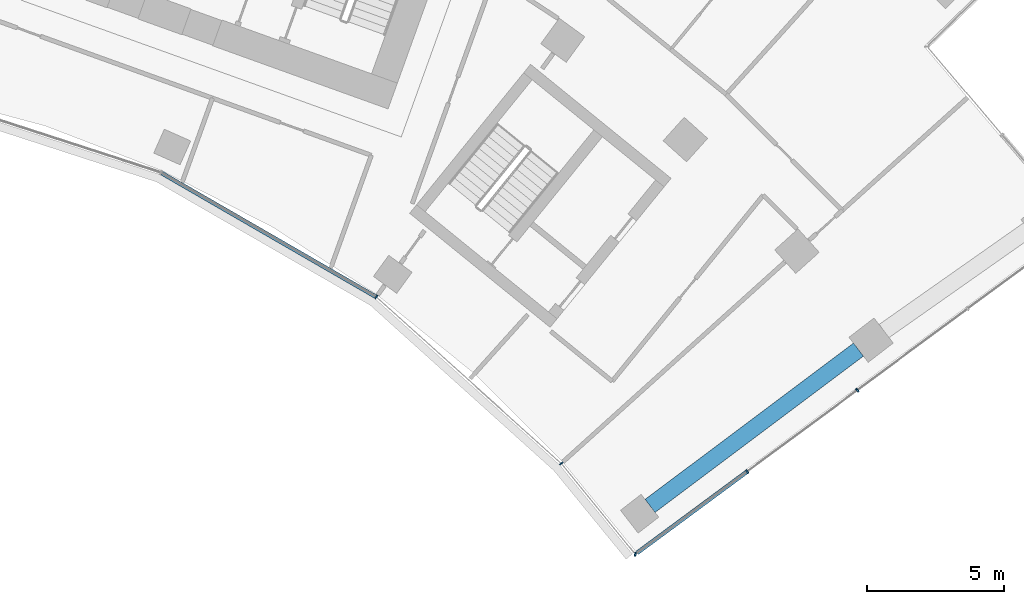
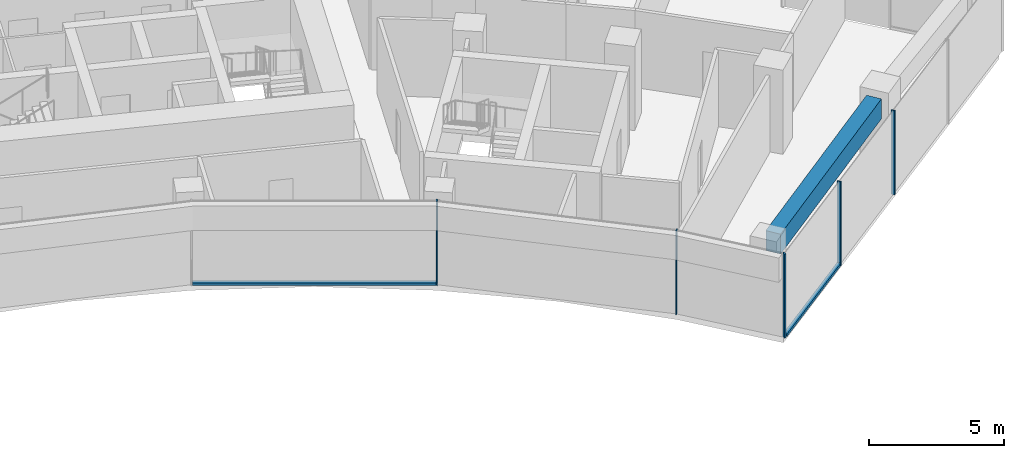
# One storey, part 7 of 19: 7 members, 1 beam, 2 elements without a shape of their own.
"""IFC4 building model written with IfcOpenShell, lengths in metres."""

from ifc_helpers import new_model, si_unit, direction, frame, origin, origin_2d, place, context, subcontext, project, spatial, rectangle, extrude, material, layer, layer_set, material_profile, profile_set, type_object, element, aggregate, save


model = new_model("IFC4")

# Units and contexts
model_context = context("Model", 3, precision=1e-05, world=origin(), true_north=direction((0.0, 1.0)))
body_context = subcontext(model_context, "Body", "Model", "MODEL_VIEW")
ifc_project = project(units=[si_unit("LENGTHUNIT", "METRE"), si_unit("AREAUNIT", "SQUARE_METRE"), si_unit("VOLUMEUNIT", "CUBIC_METRE"), si_unit("PLANEANGLEUNIT", "RADIAN"), si_unit("MASSUNIT", "GRAM", prefix="KILO")], contexts=[model_context])

# Site, building, storey
site_placement = place(None, origin())
site = spatial("IfcSite", under=ifc_project, at=site_placement, CompositionType="ELEMENT")
building_placement = place(site_placement, origin())
building = spatial("IfcBuilding", under=site, at=building_placement, Name="Stone Belt Terrace Tower", CompositionType="ELEMENT")
storey_placement = place(building_placement, frame((0.0, 0.0, 227.60009765625)))
storey = spatial("IfcBuildingStorey", under=building, at=storey_placement, Name="L55", CompositionType="ELEMENT", Elevation=227.60009765625)

# Curtain wall, members
ifc_material_1 = material(Name="Aluminium 6063-T6 anodised frame", Category="aluminium")
ifc_layer_1 = layer(ifc_material_1, 0.14990234375)
ifc_layer_set_1 = layer_set([ifc_layer_1], Name="CW-B unitised concave-face curtain wall")
curtain_wall_type_1 = type_object("IfcCurtainWallType", Name="CW-B unitised concave-face curtain wall", PredefinedType="NOTDEFINED", material=ifc_layer_set_1)
curtain_wall_1_placement = place(storey_placement, origin())
curtain_wall_1 = element("IfcCurtainWall", 1, at=curtain_wall_1_placement, inside=storey, type_object=curtain_wall_type_1, Name="CW-B concave face L55", PredefinedType="NOTDEFINED")
ifc_material_profile_1 = material_profile(ifc_material_1, rectangle(XDim=0.14990234375, YDim=0.050048828125, at=origin_2d()), Name="Aluminium 6063-T6 50x150")
ifc_profile_set_1 = profile_set([ifc_material_profile_1], Name="Aluminium 6063-T6 anodised frame")
member_type_1 = type_object("IfcMemberType", Name="CW-B mullion 50 x 150", PredefinedType="MULLION", material=ifc_profile_set_1)
member_1_placement = place(storey_placement, frame((25.5244140625, 35.13134765625, 0.0), z_axis=(0.0, 0.0, 1.0), x_axis=(0.587785252292, 0.809016994375, 0.0)))
member_1 = element("IfcMember", 2, at=member_1_placement, type_object=member_type_1, Name="CW-B mullion 8", PredefinedType="MULLION", context=body_context, shape_type="SweptSolid", body=[
    extrude(rectangle(XDim=0.14990234375, YDim=0.050048828125, at=origin_2d()), origin(), (0.0, 0.0, 1.0), 3.7998046875),
])
member_2_placement = place(storey_placement, frame((32.2724609375, 29.05517578125, 0.0), z_axis=(0.0, 0.0, 1.0), x_axis=(0.724007879695, 0.689791700544, 0.0)))
member_2 = element("IfcMember", 3, at=member_2_placement, type_object=member_type_1, Name="CW-B mullion 9", PredefinedType="MULLION", context=body_context, shape_type="SweptSolid", body=[
    extrude(rectangle(XDim=0.14990234375, YDim=0.050048828125, at=origin_2d()), origin(), (0.0, 0.0, 1.0), 3.7998046875),
])
ifc_material_profile_2 = material_profile(ifc_material_1, rectangle(XDim=0.14990234375, YDim=0.1201171875, at=origin_2d()), Name="Aluminium 6063-T6 150x120")
ifc_profile_set_2 = profile_set([ifc_material_profile_2], Name="Aluminium 6063-T6 anodised frame")
member_type_2 = type_object("IfcMemberType", Name="CW-B transom 120 x 150", PredefinedType="USERDEFINED", material=ifc_profile_set_2)
member_3_placement = place(storey_placement, frame((17.690673828125, 39.654052734375, 0.059814453125), z_axis=(0.866019133895, -0.500010859609, 0.0), x_axis=(0.500010859609, 0.866019133895, 0.0)))
member_3 = element("IfcMember", 4, at=member_3_placement, type_object=member_type_2, Name="CW-B transom 7.1", ObjectType="TRANSOM", PredefinedType="USERDEFINED", context=body_context, shape_type="SweptSolid", body=[
    extrude(rectangle(XDim=0.14990234375, YDim=0.1201171875, at=origin_2d()), origin(), (0.0, 0.0, 1.0), 9.012939453125),
])
aggregate(curtain_wall_1, [member_1, member_2, member_3])

ifc_layer_2 = layer(ifc_material_1, 0.14990234375)
ifc_layer_set_2 = layer_set([ifc_layer_2], Name="CW-C stick curtain wall, horn ends and notches")
curtain_wall_type_2 = type_object("IfcCurtainWallType", Name="CW-C stick curtain wall, horn ends and notches", PredefinedType="NOTDEFINED", material=ifc_layer_set_2)
curtain_wall_2_placement = place(storey_placement, origin())
curtain_wall_2 = element("IfcCurtainWall", 5, at=curtain_wall_2_placement, inside=storey, type_object=curtain_wall_type_2, Name="CW-C end face L55", PredefinedType="NOTDEFINED")
ifc_material_profile_3 = material_profile(ifc_material_1, rectangle(XDim=0.14990234375, YDim=0.06005859375, at=origin_2d()), Name="Aluminium 6063-T6 60x150")
ifc_profile_set_3 = profile_set([ifc_material_profile_3], Name="Aluminium 6063-T6 anodised frame")
member_type_3 = type_object("IfcMemberType", Name="CW-C mullion 60 x 150", PredefinedType="MULLION", material=ifc_profile_set_3)
member_4_placement = place(storey_placement, frame((34.975341796875, 25.744140625, 0.0), z_axis=(0.0, 0.0, 1.0), x_axis=(0.124625557677, 0.992203845172, 0.0)))
member_4 = element("IfcMember", 6, at=member_4_placement, type_object=member_type_3, Name="CW-C mullion 1", PredefinedType="MULLION", context=body_context, shape_type="SweptSolid", body=[
    extrude(rectangle(XDim=0.14990234375, YDim=0.06005859375, at=origin_2d()), origin(), (0.0, 0.0, 1.0), 3.7998046875),
])
member_5_placement = place(storey_placement, frame((39.054443359375, 28.757568359375, 0.0), z_axis=(0.0, 0.0, 1.0), x_axis=(-0.594184091865, 0.804329077539, 0.0)))
member_5 = element("IfcMember", 7, at=member_5_placement, type_object=member_type_3, Name="CW-C mullion 2", PredefinedType="MULLION", context=body_context, shape_type="SweptSolid", body=[
    extrude(rectangle(XDim=0.14990234375, YDim=0.06005859375, at=origin_2d()), origin(), (0.0, 0.0, 1.0), 3.7998046875),
])
member_6_placement = place(storey_placement, frame((43.076171875, 31.728515625, 0.0), z_axis=(0.0, 0.0, 1.0), x_axis=(-0.594184091865, 0.804329077539, 0.0)))
member_6 = element("IfcMember", 8, at=member_6_placement, type_object=member_type_3, Name="CW-C mullion 3", PredefinedType="MULLION", context=body_context, shape_type="SweptSolid", body=[
    extrude(rectangle(XDim=0.14990234375, YDim=0.06005859375, at=origin_2d()), origin(), (0.0, 0.0, 1.0), 3.7998046875),
])
ifc_material_profile_4 = material_profile(ifc_material_1, rectangle(XDim=0.14990234375, YDim=0.1201171875, at=origin_2d()), Name="Aluminium 6063-T6 150x120")
ifc_profile_set_4 = profile_set([ifc_material_profile_4], Name="Aluminium 6063-T6 anodised frame")
member_type_4 = type_object("IfcMemberType", Name="CW-C transom 120 x 150", PredefinedType="USERDEFINED", material=ifc_profile_set_4)
member_7_placement = place(storey_placement, frame((35.034423828125, 25.787841796875, 0.059814453125), z_axis=(0.804325227642, 0.594189303319, 0.0), x_axis=(-0.594189303319, 0.804325227642, 0.0)))
member_7 = element("IfcMember", 9, at=member_7_placement, type_object=member_type_4, Name="CW-C transom 1.1", ObjectType="TRANSOM", PredefinedType="USERDEFINED", context=body_context, shape_type="SweptSolid", body=[
    extrude(rectangle(XDim=0.14990234375, YDim=0.1201171875, at=origin_2d()), origin(), (0.0, 0.0, 1.0), 4.968017578125),
])
aggregate(curtain_wall_2, [member_4, member_5, member_6, member_7])

# Beam
ifc_material_2 = material(Name="Concrete B60", Category="concrete")
ifc_material_profile_5 = material_profile(ifc_material_2, rectangle(XDim=0.60009765625, YDim=0.89990234375, at=origin_2d()), Name="RC 600x900")
ifc_profile_set_5 = profile_set([ifc_material_profile_5], Name="Concrete B60")
beam_type = type_object("IfcBeamType", Name="Edge beam RC 600x900 B60", PredefinedType="SPANDREL", material=ifc_profile_set_5)
beam_placement = place(storey_placement, frame((35.51318359375, 27.5068359375, 3.02978515625), z_axis=(0.800073960697, 0.599901373073, 0.0), x_axis=(-0.599901373073, 0.800073960697, 0.0)))
element("IfcBeam", 10, at=beam_placement, inside=storey, type_object=beam_type, Name="Edge beam L55 B P to Q", PredefinedType="SPANDREL", context=body_context, shape_type="SweptSolid", body=[
    extrude(rectangle(XDim=0.60009765625, YDim=0.89990234375, at=origin_2d()), origin(), (0.0, 0.0, 1.0), 9.505859375),
])

save(model, "model.ifc")
